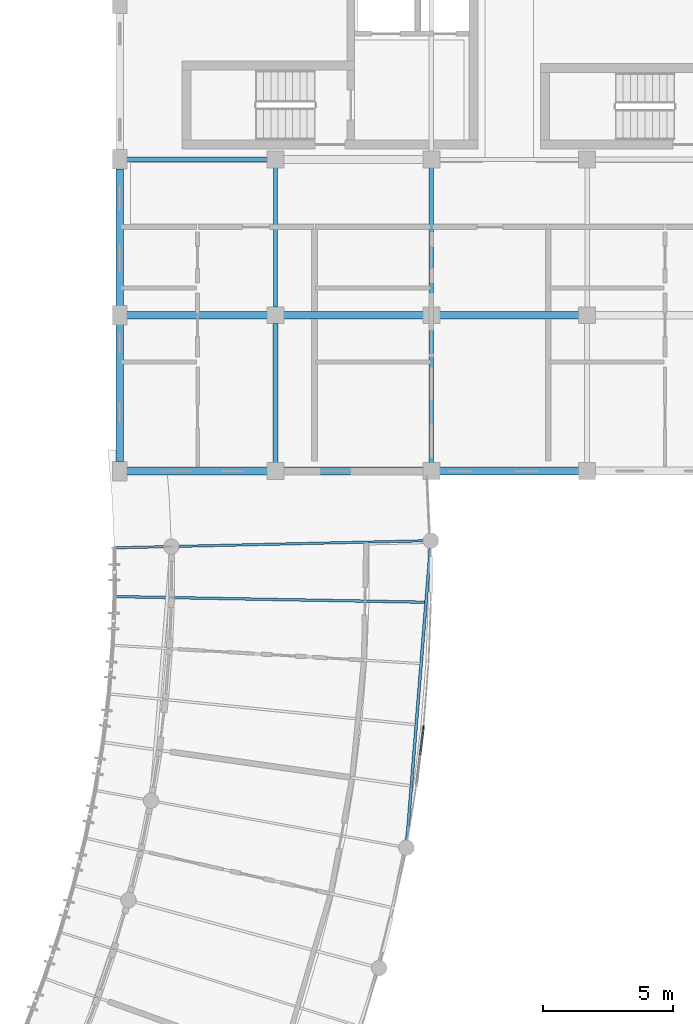
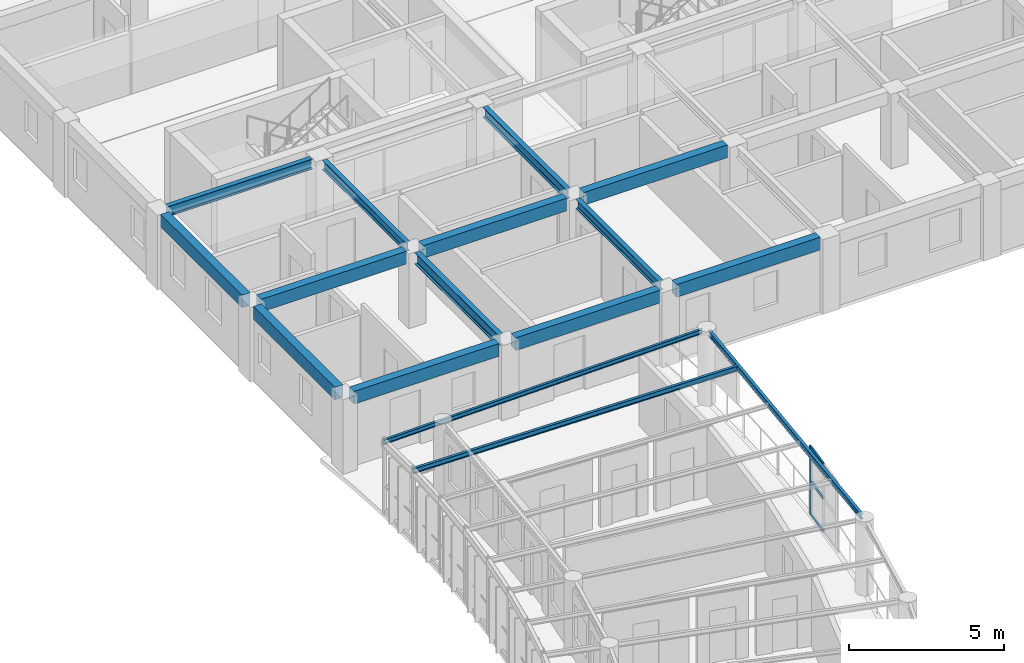
# One storey, part 24 of 100: 16 beams, 4 members, 1 element without a shape of its own.
"""IFC4 building model written with IfcOpenShell, lengths in metres."""

from ifc_helpers import new_model, si_unit, direction, frame, origin, origin_2d, place, context, subcontext, project, spatial, rectangle, i_section, extrude, material, layer, layer_set, material_profile, profile_set, type_object, element, aggregate, save


model = new_model("IFC4")

# Units and contexts
model_context = context("Model", 3, precision=1e-05, world=origin(), true_north=direction((0.0, 1.0)))
body_context = subcontext(model_context, "Body", "Model", "MODEL_VIEW")
ifc_project = project(units=[si_unit("LENGTHUNIT", "METRE"), si_unit("AREAUNIT", "SQUARE_METRE"), si_unit("VOLUMEUNIT", "CUBIC_METRE"), si_unit("PLANEANGLEUNIT", "RADIAN"), si_unit("MASSUNIT", "GRAM", prefix="KILO"), si_unit("POWERUNIT", "WATT"), si_unit("THERMODYNAMICTEMPERATUREUNIT", "KELVIN")], contexts=[model_context])

# Site, building, storey
site_placement = place(None, origin())
site = spatial("IfcSite", under=ifc_project, at=site_placement, CompositionType="ELEMENT")
building_placement = place(site_placement, origin())
building = spatial("IfcBuilding", under=site, at=building_placement, Name="Ruvembo Vaulted Housing Court", CompositionType="ELEMENT")
storey_placement = place(building_placement, frame((0.0, 0.0, 14.10009765625)))
storey = spatial("IfcBuildingStorey", under=building, at=storey_placement, Name="L04", CompositionType="ELEMENT", Elevation=14.10009765625)

# Beams
ifc_material_1 = material(Name="Steel S355J2", Category="steel")
ifc_material_profile_1 = material_profile(ifc_material_1, i_section(OverallWidth=0.091064453125, OverallDepth=0.179931640625, WebThickness=0.00537109375, FlangeThickness=0.008056640625, FilletRadius=0.009033203125, at=origin_2d()), Name="IPE 180")
ifc_profile_set_1 = profile_set([ifc_material_profile_1], Name="Steel S355J2")
beam_type_1 = type_object("IfcBeamType", Name="BM-ST-IPE180", PredefinedType="JOIST", material=ifc_profile_set_1)
beam_1_placement = place(storey_placement, frame((59.794921875, 75.31591796875, 2.849853515625), z_axis=(-0.999741123788, -0.022752701078, 0.0), x_axis=(0.022752701078, -0.999741123788, 0.0)))
element("IfcBeam", 1, at=beam_1_placement, inside=storey, type_object=beam_type_1, Name="Scoop SC1 L04 Radial Steel Joist 19", PredefinedType="JOIST", context=body_context, shape_type="SweptSolid", body=[
    extrude(i_section(OverallWidth=0.091064453125, OverallDepth=0.179931640625, WebThickness=0.00537109375, FlangeThickness=0.008056640625, FilletRadius=0.009033203125, at=origin_2d()), origin(), (0.0, 0.0, 1.0), 12.050048828125),
])
ifc_material_profile_2 = material_profile(ifc_material_1, i_section(OverallWidth=0.10009765625, OverallDepth=0.199951171875, WebThickness=0.005615234375, FlangeThickness=0.008544921875, FilletRadius=0.011962890625, at=origin_2d()), Name="IPE 200")
ifc_profile_set_2 = profile_set([ifc_material_profile_2], Name="Steel S355J2")
beam_type_2 = type_object("IfcBeamType", Name="BM-ST-IPE200", PredefinedType="BEAM", material=ifc_profile_set_2)
beam_2_placement = place(storey_placement, frame((59.74560546875, 72.9482421875, 2.83984375), z_axis=(-0.999834442166, 0.018195830781, 0.0), x_axis=(-0.018195830781, -0.999834442166, 0.0)))
element("IfcBeam", 2, at=beam_2_placement, inside=storey, type_object=beam_type_2, Name="Scoop SC1 L04 Radial Steel Joist 18", PredefinedType="BEAM", context=body_context, shape_type="SweptSolid", body=[
    extrude(i_section(OverallWidth=0.10009765625, OverallDepth=0.199951171875, WebThickness=0.005615234375, FlangeThickness=0.008544921875, FilletRadius=0.011962890625, at=origin_2d()), origin(), (0.0, 0.0, 1.0), 11.9951171875),
])
ifc_material_profile_3 = material_profile(ifc_material_1, i_section(OverallWidth=0.110107421875, OverallDepth=0.219970703125, WebThickness=0.005859375, FlangeThickness=0.00927734375, FilletRadius=0.011962890625, at=origin_2d()), Name="IPE 220")
ifc_profile_set_3 = profile_set([ifc_material_profile_3], Name="Steel S355J2")
beam_type_3 = type_object("IfcBeamType", Name="BM-ST-IPE220", PredefinedType="SPANDREL", material=ifc_profile_set_3)
beam_3_placement = place(storey_placement, frame((59.055908203125, 63.684814453125, 2.831787109375), z_axis=(0.079604939597, 0.996826491217, 0.0), x_axis=(-0.996826491217, 0.079604939597, 0.0)))
element("IfcBeam", 3, at=beam_3_placement, inside=storey, type_object=beam_type_3, Name="Scoop SC1 L04 Chord Girder B14", PredefinedType="SPANDREL", context=body_context, shape_type="SweptSolid", body=[
    extrude(i_section(OverallWidth=0.110107421875, OverallDepth=0.219970703125, WebThickness=0.005859375, FlangeThickness=0.00927734375, FilletRadius=0.011962890625, at=origin_2d()), origin(), (0.0, 0.0, 1.0), 11.482421875),
])
ifc_material_profile_4 = material_profile(ifc_material_1, i_section(OverallWidth=0.169921875, OverallDepth=0.360107421875, WebThickness=0.008056640625, FlangeThickness=0.0126953125, FilletRadius=0.01806640625, at=origin_2d()), Name="IPE 360")
ifc_profile_set_4 = profile_set([ifc_material_profile_4], Name="Steel S355J2")
beam_type_4 = type_object("IfcBeamType", Name="BM-ST-IPE360", PredefinedType="BEAM", material=ifc_profile_set_4)
for number, where, z_axis, x_axis, name in (
    (4, (54.0, 84.31005859375, 2.745849609375), (0.0, 1.0, 0.0), (-1.0, 0.0, 0.0), "L04 Grid Beam Y #2187"),
    (5, (60.0, 78.31005859375, 2.745849609375), (0.0, 1.0, 0.0), (-1.0, 0.0, 0.0), "L04 Grid Beam Y #2190"),
):
    element("IfcBeam", number, at=place(storey_placement, frame(where, z_axis=z_axis, x_axis=x_axis)), inside=storey, type_object=beam_type_4, Name=name, PredefinedType="BEAM", context=body_context, shape_type="SweptSolid", body=[
        extrude(i_section(OverallWidth=0.169921875, OverallDepth=0.360107421875, WebThickness=0.008056640625, FlangeThickness=0.0126953125, FilletRadius=0.01806640625, at=origin_2d()), origin(), (0.0, 0.0, 1.0), 5.3798828125),
    ])
ifc_material_profile_5 = material_profile(ifc_material_1, i_section(OverallWidth=0.179931640625, OverallDepth=0.39990234375, WebThickness=0.008544921875, FlangeThickness=0.013427734375, FilletRadius=0.02099609375, at=origin_2d()), Name="IPE 400")
ifc_profile_set_5 = profile_set([ifc_material_profile_5], Name="Steel S355J2")
beam_type_5 = type_object("IfcBeamType", Name="BM-ST-IPE400", PredefinedType="BEAM", material=ifc_profile_set_5)
beam_4_placement = place(storey_placement, frame((48.260009765625, 90.0, 2.725830078125), z_axis=(1.0, 0.0, 0.0), x_axis=(0.0, 1.0, 0.0)))
element("IfcBeam", 6, at=beam_4_placement, inside=storey, type_object=beam_type_5, Name="L04 Grid Beam X #2101", PredefinedType="BEAM", context=body_context, shape_type="SweptSolid", body=[
    extrude(i_section(OverallWidth=0.179931640625, OverallDepth=0.39990234375, WebThickness=0.008544921875, FlangeThickness=0.013427734375, FilletRadius=0.02099609375, at=origin_2d()), origin(), (0.0, 0.0, 1.0), 5.429931640625),
])
beam_5_placement = place(storey_placement, frame((60.0, 84.31005859375, 2.725830078125), z_axis=(0.0, 1.0, 0.0), x_axis=(-1.0, 0.0, 0.0)))
element("IfcBeam", 7, at=beam_5_placement, inside=storey, type_object=beam_type_5, Name="L04 Grid Beam Y #2191", PredefinedType="BEAM", context=body_context, shape_type="SweptSolid", body=[
    extrude(i_section(OverallWidth=0.179931640625, OverallDepth=0.39990234375, WebThickness=0.008544921875, FlangeThickness=0.013427734375, FilletRadius=0.02099609375, at=origin_2d()), origin(), (0.0, 0.0, 1.0), 5.3798828125),
])
ifc_material_profile_6 = material_profile(ifc_material_1, i_section(OverallWidth=0.18994140625, OverallDepth=0.449951171875, WebThickness=0.009521484375, FlangeThickness=0.0146484375, FilletRadius=0.02099609375, at=origin_2d()), Name="IPE 450")
ifc_profile_set_6 = profile_set([ifc_material_profile_6], Name="Steel S355J2")
beam_type_6 = type_object("IfcBeamType", Name="BM-ST-IPE450", PredefinedType="BEAM", material=ifc_profile_set_6)
beam_6_placement = place(storey_placement, frame((54.0, 78.31005859375, 2.700927734375), z_axis=(0.0, 1.0, 0.0), x_axis=(-1.0, 0.0, 0.0)))
element("IfcBeam", 8, at=beam_6_placement, inside=storey, type_object=beam_type_6, Name="L04 Grid Beam Y #2186", PredefinedType="BEAM", context=body_context, shape_type="SweptSolid", body=[
    extrude(i_section(OverallWidth=0.18994140625, OverallDepth=0.449951171875, WebThickness=0.009521484375, FlangeThickness=0.0146484375, FilletRadius=0.02099609375, at=origin_2d()), origin(), (0.0, 0.0, 1.0), 5.3798828125),
])

# Curtain wall, members
ifc_material_2 = material(Name="Anodised Aluminium and Solar-Control Glass", Category="aluminium")
ifc_layer = layer(ifc_material_2, 0.1201171875, Name="Anodised Aluminium and Solar-Control Glass")
ifc_layer_set = layer_set([ifc_layer], Name="Anodised Aluminium and Solar-Control Glass")
curtain_wall_type = type_object("IfcCurtainWallType", Name="CW-SCOOP-GAL", PredefinedType="NOTDEFINED", material=ifc_layer_set)
curtain_wall_placement = place(storey_placement, origin())
curtain_wall = element("IfcCurtainWall", 9, at=curtain_wall_placement, inside=storey, type_object=curtain_wall_type, Name="L04 Curtain Wall CW-L04-0024", PredefinedType="NOTDEFINED")
ifc_material_3 = material(Name="Anodised Aluminium 6063-T6", Category="aluminium")
ifc_material_profile_7 = material_profile(ifc_material_3, rectangle(XDim=0.06005859375, YDim=0.139892578125, at=origin_2d()), Name="ALU 60x140")
ifc_profile_set_7 = profile_set([ifc_material_profile_7], Name="Anodised Aluminium 6063-T6")
member_type_1 = type_object("IfcMemberType", Name="CW-MUL-60x140", PredefinedType="MULLION", material=ifc_profile_set_7)
member_1_placement = place(storey_placement, frame((59.69970703125, 68.12060546875, 0.0), z_axis=(0.0, 0.0, 1.0), x_axis=(-0.992725352187, 0.12040089337, 0.0)))
member_1 = element("IfcMember", 10, at=member_1_placement, type_object=member_type_1, Name="CW6 mullion 3", PredefinedType="MULLION", context=body_context, shape_type="SweptSolid", body=[
    extrude(rectangle(XDim=0.06005859375, YDim=0.139892578125, at=origin_2d()), origin(), (0.0, 0.0, 1.0), 2.697998046875),
])
ifc_material_profile_8 = material_profile(ifc_material_3, rectangle(XDim=0.06005859375, YDim=0.1201171875, at=origin_2d()), Name="ALU 60x120")
ifc_profile_set_8 = profile_set([ifc_material_profile_8], Name="Anodised Aluminium 6063-T6")
member_type_2 = type_object("IfcMemberType", Name="CW-TRANSOM-65x120", PredefinedType="USERDEFINED", material=ifc_profile_set_8)
member_2_placement = place(storey_placement, frame((59.56982421875, 67.05029296875, 0.02978515625), z_axis=(0.120421796404, 0.992722816778, 0.0), x_axis=(-0.992722816778, 0.120421796404, 0.0)))
member_2 = element("IfcMember", 11, at=member_2_placement, type_object=member_type_2, Name="CW6 transom 2.1", ObjectType="TRANSOM", PredefinedType="USERDEFINED", context=body_context, shape_type="SweptSolid", body=[
    extrude(rectangle(XDim=0.06005859375, YDim=0.1201171875, at=origin_2d()), origin(), (0.0, 0.0, 1.0), 1.048095703125),
])
member_3_placement = place(storey_placement, frame((59.56982421875, 67.05029296875, 1.348876953125), z_axis=(0.120421796404, 0.992722816778, 0.0), x_axis=(-0.992722816778, 0.120421796404, 0.0)))
member_3 = element("IfcMember", 12, at=member_3_placement, type_object=member_type_2, Name="CW6 transom 2.2", ObjectType="TRANSOM", PredefinedType="USERDEFINED", context=body_context, shape_type="SweptSolid", body=[
    extrude(rectangle(XDim=0.06005859375, YDim=0.1201171875, at=origin_2d()), origin(), (0.0, 0.0, 1.0), 1.048095703125),
])
member_4_placement = place(storey_placement, frame((59.56982421875, 67.05029296875, 2.66796875), z_axis=(0.120421796404, 0.992722816778, 0.0), x_axis=(-0.992722816778, 0.120421796404, 0.0)))
member_4 = element("IfcMember", 13, at=member_4_placement, type_object=member_type_2, Name="CW6 transom 2.3", ObjectType="TRANSOM", PredefinedType="USERDEFINED", context=body_context, shape_type="SweptSolid", body=[
    extrude(rectangle(XDim=0.06005859375, YDim=0.1201171875, at=origin_2d()), origin(), (0.0, 0.0, 1.0), 1.048095703125),
])
aggregate(curtain_wall, [member_1, member_2, member_3, member_4])

# Beams
ifc_material_4 = material(Name="Concrete C35/45", Category="concrete")
ifc_material_profile_9 = material_profile(ifc_material_4, rectangle(XDim=0.300048828125, YDim=0.5, at=origin_2d()), Name="RC 300x500")
ifc_profile_set_9 = profile_set([ifc_material_profile_9], Name="Concrete C35/45")
beam_type_7 = type_object("IfcBeamType", Name="SP-RC-300x500", PredefinedType="SPANDREL", material=ifc_profile_set_9)
beam_7_placement = place(storey_placement, frame((48.260009765625, 78.0, 2.699951171875), z_axis=(1.0, 0.0, 0.0), x_axis=(0.0, 1.0, 0.0)))
element("IfcBeam", 14, at=beam_7_placement, inside=storey, type_object=beam_type_7, Name="L04 Grid Beam X #2077", PredefinedType="SPANDREL", context=body_context, shape_type="SweptSolid", body=[
    extrude(rectangle(XDim=0.300048828125, YDim=0.5, at=origin_2d()), origin(), (0.0, 0.0, 1.0), 5.429931640625),
])
for number, where, z_axis, x_axis, name in (
    (15, (54.31005859375, 78.0, 2.699951171875), (1.0, 0.0, 0.0), (0.0, 1.0, 0.0), "L04 Grid Beam X #2078"),
    (16, (60.31005859375, 78.0, 2.699951171875), (1.0, 0.0, 0.0), (0.0, 1.0, 0.0), "L04 Grid Beam X #2079"),
):
    element("IfcBeam", number, at=place(storey_placement, frame(where, z_axis=z_axis, x_axis=x_axis)), inside=storey, type_object=beam_type_7, Name=name, PredefinedType="SPANDREL", context=body_context, shape_type="SweptSolid", body=[
        extrude(rectangle(XDim=0.300048828125, YDim=0.5, at=origin_2d()), origin(), (0.0, 0.0, 1.0), 5.3798828125),
    ])
beam_8_placement = place(storey_placement, frame((48.260009765625, 84.0, 2.699951171875), z_axis=(1.0, 0.0, 0.0), x_axis=(0.0, 1.0, 0.0)))
element("IfcBeam", 17, at=beam_8_placement, inside=storey, type_object=beam_type_7, Name="L04 Grid Beam X #2089", PredefinedType="SPANDREL", context=body_context, shape_type="SweptSolid", body=[
    extrude(rectangle(XDim=0.300048828125, YDim=0.5, at=origin_2d()), origin(), (0.0, 0.0, 1.0), 5.429931640625),
])
for number, where, z_axis, x_axis, name in (
    (18, (54.31005859375, 84.0, 2.699951171875), (1.0, 0.0, 0.0), (0.0, 1.0, 0.0), "L04 Grid Beam X #2090"),
    (19, (60.31005859375, 84.0, 2.699951171875), (1.0, 0.0, 0.0), (0.0, 1.0, 0.0), "L04 Grid Beam X #2091"),
):
    element("IfcBeam", number, at=place(storey_placement, frame(where, z_axis=z_axis, x_axis=x_axis)), inside=storey, type_object=beam_type_7, Name=name, PredefinedType="SPANDREL", context=body_context, shape_type="SweptSolid", body=[
        extrude(rectangle(XDim=0.300048828125, YDim=0.5, at=origin_2d()), origin(), (0.0, 0.0, 1.0), 5.3798828125),
    ])
for number, where, z_axis, x_axis, name in (
    (20, (48.0, 78.360107421875, 2.699951171875), (0.0, 1.0, 0.0), (-1.0, 0.0, 0.0), "L04 Grid Beam Y #2180"),
    (21, (48.0, 84.360107421875, 2.699951171875), (0.0, 1.0, 0.0), (-1.0, 0.0, 0.0), "L04 Grid Beam Y #2181"),
):
    element("IfcBeam", number, at=place(storey_placement, frame(where, z_axis=z_axis, x_axis=x_axis)), inside=storey, type_object=beam_type_7, Name=name, PredefinedType="SPANDREL", context=body_context, shape_type="SweptSolid", body=[
        extrude(rectangle(XDim=0.300048828125, YDim=0.5, at=origin_2d()), origin(), (0.0, 0.0, 1.0), 5.27978515625),
    ])

save(model, "model.ifc")
